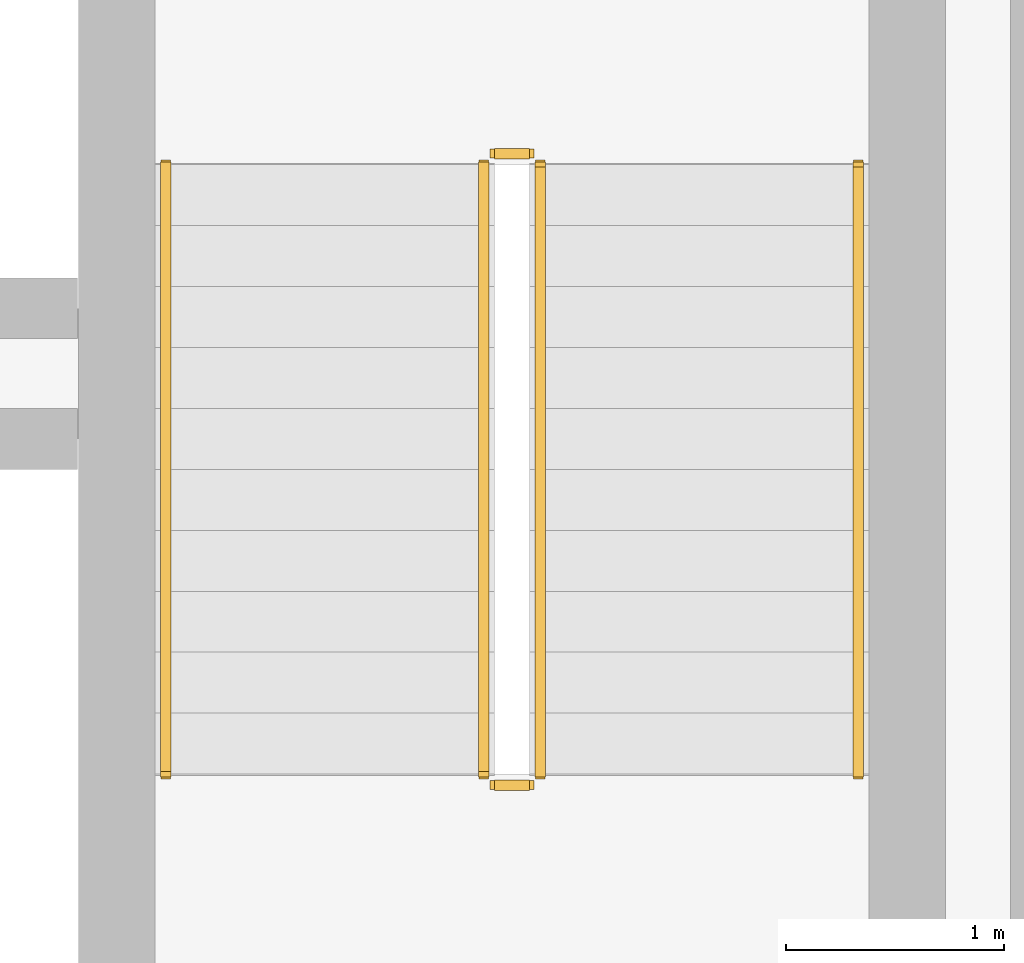
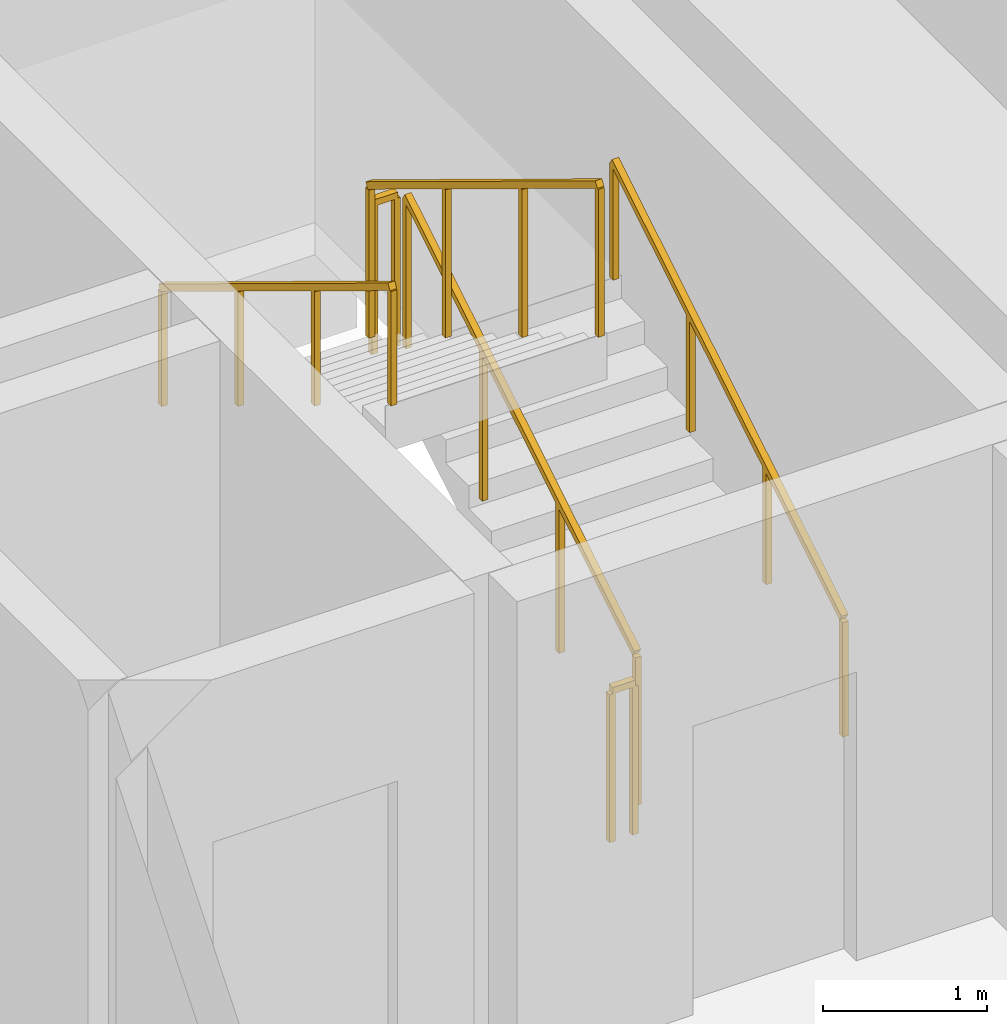
# One storey, part 16 of 16: 6 railings.
"""IFC4 building model written with IfcOpenShell, lengths in metres."""

import ifcopenshell
import ifcopenshell.guid

model = None  # the IFC model being written
_history = None  # IfcOwnerHistory: only IFC2X3 demands one
_inside = {}  # id of a spatial element -> (the spatial element, [elements in it])
_under = {}  # id of a project, library or spatial element -> (it, [spatial elements below it])
_declared = {}  # id of a project -> (the project, [libraries it declares])
_typed = {}  # id of a type object -> (the type object, [elements of that type])
_made_of = {}  # id of a material, layer set ... -> (it, [elements and type objects made of it])


def new_model(schema):
    """Start an empty IFC model of exactly this schema.

    Asked for "IFC4X3", IfcOpenShell would pick the latest addendum, in which some entities
    have other attributes; the version numbers below select the first issue.
    IFC2X3 requires an IfcOwnerHistory on every rooted entity: one is made here for all.
    """
    global model, _history
    if schema == "IFC4X3":
        model = ifcopenshell.file(schema_version=(4, 3, 0, 0))
    else:
        model = ifcopenshell.file(schema=schema)
    _inside.clear()
    _under.clear()
    _declared.clear()
    _typed.clear()
    _made_of.clear()
    _history = None
    if model.schema == "IFC2X3":
        org = make("IfcOrganization", Name="unknown")
        user = make(
            "IfcPersonAndOrganization",
            ThePerson=make("IfcPerson", FamilyName="unknown"),
            TheOrganization=org,
        )
        app = make(
            "IfcApplication",
            ApplicationDeveloper=org,
            Version="unknown",
            ApplicationFullName="unknown",
            ApplicationIdentifier="unknown",
        )
        _history = make(
            "IfcOwnerHistory",
            OwningUser=user,
            OwningApplication=app,
            ChangeAction="ADDED",
            CreationDate=0,
        )
    return model


def make(cls, **values):
    """One entity of the class cls with the attributes given. An attribute that is None is left unset."""
    return model.create_entity(
        cls, **{name: value for name, value in values.items() if value is not None}
    )


def rooted(cls, **values):
    """An entity with a GlobalId (a new one), such as an element, a storey or a relation."""
    return make(cls, GlobalId=ifcopenshell.guid.new(), OwnerHistory=_history, **values)


def si_unit(unit_type, name, prefix=None):
    """IfcSIUnit, for example si_unit("LENGTHUNIT", "METRE", prefix="MILLI")."""
    return make("IfcSIUnit", UnitType=unit_type, Prefix=prefix, Name=name)


def assignment(units):
    """IfcUnitAssignment: the units of a project."""
    return None if units is None else make("IfcUnitAssignment", Units=units)


def point(xyz):
    """IfcCartesianPoint."""
    return None if xyz is None else make("IfcCartesianPoint", Coordinates=xyz)


def direction(xyz):
    """IfcDirection."""
    return None if xyz is None else make("IfcDirection", DirectionRatios=xyz)


def frame(location, z_axis=None, x_axis=None):
    """IfcAxis2Placement3D, a coordinate frame: its origin and axes. An axis left out is left unset."""
    return make(
        "IfcAxis2Placement3D",
        Location=point(location),
        Axis=direction(z_axis),
        RefDirection=direction(x_axis),
    )


def frame_2d(location, x_axis=None):
    """IfcAxis2Placement2D, a coordinate frame in the plane: its origin and x axis."""
    return make(
        "IfcAxis2Placement2D", Location=point(location), RefDirection=direction(x_axis)
    )


def origin():
    """The frame at (0, 0, 0) with its axes left unset."""
    return frame((0.0, 0.0, 0.0))


def origin_2d():
    """The frame at (0, 0) in the plane with its x axis left unset."""
    return frame_2d((0.0, 0.0))


def place(relative_to, where):
    """IfcLocalPlacement: puts the frame where relative to a parent placement (None: the world)."""
    return make(
        "IfcLocalPlacement", PlacementRelTo=relative_to, RelativePlacement=where
    )


def context(
    kind, dimensions, precision=None, world=None, true_north=None, identifier=None
):
    """IfcGeometricRepresentationContext, for example the 3D "Model" context."""
    return make(
        "IfcGeometricRepresentationContext",
        ContextIdentifier=identifier,
        ContextType=kind,
        CoordinateSpaceDimension=dimensions,
        Precision=precision,
        WorldCoordinateSystem=world,
        TrueNorth=true_north,
    )


def subcontext(parent, identifier, kind, view, scale=None):
    """IfcGeometricRepresentationSubContext, for example "Body" below "Model"."""
    return make(
        "IfcGeometricRepresentationSubContext",
        ContextIdentifier=identifier,
        ContextType=kind,
        ParentContext=parent,
        TargetScale=scale,
        TargetView=view,
    )


def project(units=None, contexts=None):
    """IfcProject with its units and contexts."""
    return rooted(
        "IfcProject",
        Name="project",
        RepresentationContexts=contexts,
        UnitsInContext=assignment(units),
    )


def spatial(cls, under=None, at=None, **own):
    """A site, building, storey or space (cls), placed at a placement, below another one or the project."""
    s = rooted(cls, ObjectPlacement=at, **own)
    if under is not None:
        _under.setdefault(under.id(), (under, []))[1].append(s)
    return s


def profile(cls, at=None, kind="AREA", **sizes):
    """A parametric profile (cls). Its sizes go by their IFC names, for example OverallWidth=200.0."""
    return make(cls, ProfileType=kind, Position=at, **sizes)


def rectangle(**sizes):
    """IfcRectangleProfileDef."""
    return profile("IfcRectangleProfileDef", **sizes)


def extrude(swept, where, along, depth):
    """IfcExtrudedAreaSolid: the profile swept, set in the frame where, extruded along a direction by depth."""
    return make(
        "IfcExtrudedAreaSolid",
        SweptArea=swept,
        Position=where,
        ExtrudedDirection=direction(along),
        Depth=depth,
    )


def shape(context_of_items, identifier, shape_type, items):
    """IfcShapeRepresentation: the items that make up one representation, for example the "Body"."""
    return make(
        "IfcShapeRepresentation",
        ContextOfItems=context_of_items,
        RepresentationIdentifier=identifier,
        RepresentationType=shape_type,
        Items=items,
    )


def material(Name=None, Category=None):
    """IfcMaterial."""
    return make("IfcMaterial", Name=Name, Category=Category)


def made_of(thing, what):
    """Note that an element or type object is made of a material, layer set ...; save() writes the relation."""
    if what is not None:
        _made_of.setdefault(what.id(), (what, []))[1].append(thing)
    return thing


def type_object(cls, material=None, **own):
    """A type object (cls), such as IfcWallType, which elements share."""
    return made_of(rooted(cls, **own), material)


def element(
    cls,
    number,
    at=None,
    inside=None,
    cuts=None,
    type_object=None,
    material=None,
    context=None,
    identifier="Body",
    shape_type=None,
    held_by="IfcProductDefinitionShape",
    body=None,
    shapes=None,
    **own,
):
    """One element of the class cls, such as IfcWall. Its Tag is "e" and its number.

    at: its placement. inside: the storey or other place that contains it. cuts: it is an
    opening in that element (IfcRelVoidsElement). A single representation is given by context,
    identifier, shape_type and body (its items); several are given by shapes. held_by: the class
    of the entity that holds the representations. save() writes the other relations.
    """
    e = rooted(cls, Tag="e%d" % number, ObjectPlacement=at, **own)
    if body is not None:
        shapes = [shape(context, identifier, shape_type, body)]
    if shapes is not None:
        e.Representation = make(held_by, Representations=shapes)
    if inside is not None:
        _inside.setdefault(inside.id(), (inside, []))[1].append(e)
    if cuts is not None:
        rooted(
            "IfcRelVoidsElement", RelatingBuildingElement=cuts, RelatedOpeningElement=e
        )
    if type_object is not None:
        _typed.setdefault(type_object.id(), (type_object, []))[1].append(e)
    return made_of(e, material)


def aggregate(whole, parts):
    """IfcRelAggregates: a whole, such as a stair, and the parts it consists of."""
    return rooted("IfcRelAggregates", RelatingObject=whole, RelatedObjects=parts)


def save(model, path):
    """Write the relations noted so far, then the file.

    IfcRelAggregates (storeys below a building ...), IfcRelContainedInSpatialStructure (elements
    in a storey), IfcRelDefinesByType, IfcRelAssociatesMaterial and IfcRelDeclares: one each for
    every whole, place, type object, material and project.
    """
    for whole, parts in _under.values():
        aggregate(whole, parts)
    for where, things in _inside.values():
        rooted(
            "IfcRelContainedInSpatialStructure",
            RelatedElements=things,
            RelatingStructure=where,
        )
    for kind, things in _typed.values():
        rooted("IfcRelDefinesByType", RelatedObjects=things, RelatingType=kind)
    for what, things in _made_of.values():
        rooted("IfcRelAssociatesMaterial", RelatedObjects=things, RelatingMaterial=what)
    for by, libraries in _declared.values():
        rooted("IfcRelDeclares", RelatingContext=by, RelatedDefinitions=libraries)
    model.write(path)


model = new_model("IFC4")

# Units and contexts
model_context = context("Model", 3, precision=1e-05, world=origin(), true_north=direction((0.0, 1.0)))
body_context = subcontext(model_context, "Body", "Model", "MODEL_VIEW")
ifc_project = project(units=[si_unit("LENGTHUNIT", "METRE"), si_unit("AREAUNIT", "SQUARE_METRE"), si_unit("VOLUMEUNIT", "CUBIC_METRE"), si_unit("PLANEANGLEUNIT", "RADIAN"), si_unit("MASSUNIT", "GRAM", prefix="KILO")], contexts=[model_context])

# Site, building, storey
site_placement = place(None, origin())
site = spatial("IfcSite", under=ifc_project, at=site_placement, CompositionType="ELEMENT")
building_placement = place(site_placement, origin())
building = spatial("IfcBuilding", under=site, at=building_placement, Name="Kaelvorn Grand Hotel", CompositionType="ELEMENT")
storey_placement = place(building_placement, frame((0.0, 0.0, 35.14990234375)))
storey = spatial("IfcBuildingStorey", under=building, at=storey_placement, Name="L06", CompositionType="ELEMENT", Elevation=35.14990234375)

# Railings
ifc_material = material(Name="Stainless Steel", Category="steel")
railing_type_1 = type_object("IfcRailingType", Name="RL-HANDRAIL-900", PredefinedType="HANDRAIL", material=ifc_material)
railing_1_placement = place(storey_placement, frame((66.550048828125, 41.760009765625, 0.170654296875)))
element("IfcRailing", 1, at=railing_1_placement, inside=storey, type_object=railing_type_1, Name="L06 ST3 stair handrail 1", PredefinedType="HANDRAIL", context=body_context, shape_type="SweptSolid", body=[
    extrude(rectangle(XDim=0.048095703125, YDim=0.048095703125, at=origin_2d()), frame((0.0, 0.0, 0.8759765625), z_axis=(0.0, 0.854202870247, 0.519939858505), x_axis=(-1.0, 0.0, 0.0)), (0.0, 0.0, 1.0), 3.278076171875),
    extrude(rectangle(XDim=0.0419921875, YDim=0.0419921875, at=origin_2d()), origin(), (0.0, 0.0, 1.0), 0.851806640625),
    extrude(rectangle(XDim=0.0419921875, YDim=0.0419921875, at=origin_2d()), frame((0.0, 0.933349609375, 0.568115234375)), (0.0, 0.0, 1.0), 0.851806640625),
    extrude(rectangle(XDim=0.0419921875, YDim=0.0419921875, at=origin_2d()), frame((0.0, 1.86669921875, 1.13623046875)), (0.0, 0.0, 1.0), 0.851806640625),
    extrude(rectangle(XDim=0.0419921875, YDim=0.0419921875, at=origin_2d()), frame((0.0, 2.800048828125, 1.704345703125)), (0.0, 0.0, 1.0), 0.851806640625),
])
railing_2_placement = place(storey_placement, frame((63.3701171875, 44.56005859375, 2.045654296875)))
element("IfcRailing", 2, at=railing_2_placement, inside=storey, type_object=railing_type_1, Name="L06 ST3 stair handrail 2", PredefinedType="HANDRAIL", context=body_context, shape_type="SweptSolid", body=[
    extrude(rectangle(XDim=0.048095703125, YDim=0.048095703125, at=origin_2d()), frame((0.0, 0.0, 0.8759765625), z_axis=(0.0, -0.854202870247, 0.519939858505), x_axis=(1.0, 0.0, 0.0)), (0.0, 0.0, 1.0), 3.278076171875),
    extrude(rectangle(XDim=0.0419921875, YDim=0.0419921875, at=origin_2d()), origin(), (0.0, 0.0, 1.0), 0.851806640625),
    extrude(rectangle(XDim=0.0419921875, YDim=0.0419921875, at=origin_2d()), frame((0.0, -0.933349609375, 0.568115234375)), (0.0, 0.0, 1.0), 0.851806640625),
    extrude(rectangle(XDim=0.0419921875, YDim=0.0419921875, at=origin_2d()), frame((0.0, -1.86669921875, 1.13623046875)), (0.0, 0.0, 1.0), 0.851806640625),
    extrude(rectangle(XDim=0.0419921875, YDim=0.0419921875, at=origin_2d()), frame((0.0, -2.800048828125, 1.704345703125)), (0.0, 0.0, 1.0), 0.851806640625),
])
railing_type_2 = type_object("IfcRailingType", Name="RL-STAIR-GUARD-1150", PredefinedType="BALUSTRADE", material=ifc_material)
railing_3_placement = place(storey_placement, frame((65.090087890625, 41.760009765625, 0.170654296875)))
element("IfcRailing", 3, at=railing_3_placement, inside=storey, type_object=railing_type_2, Name="L06 ST3 stair guard 1", PredefinedType="BALUSTRADE", context=body_context, shape_type="SweptSolid", body=[
    extrude(rectangle(XDim=0.048095703125, YDim=0.048095703125, at=origin_2d()), frame((0.0, 0.0, 1.1259765625), z_axis=(0.0, 0.854202870247, 0.519939858505), x_axis=(-1.0, 0.0, 0.0)), (0.0, 0.0, 1.0), 3.278076171875),
    extrude(rectangle(XDim=0.0419921875, YDim=0.0419921875, at=origin_2d()), origin(), (0.0, 0.0, 1.0), 1.101806640625),
    extrude(rectangle(XDim=0.0419921875, YDim=0.0419921875, at=origin_2d()), frame((0.0, 0.933349609375, 0.568115234375)), (0.0, 0.0, 1.0), 1.101806640625),
    extrude(rectangle(XDim=0.0419921875, YDim=0.0419921875, at=origin_2d()), frame((0.0, 1.86669921875, 1.13623046875)), (0.0, 0.0, 1.0), 1.101806640625),
    extrude(rectangle(XDim=0.0419921875, YDim=0.0419921875, at=origin_2d()), frame((0.0, 2.800048828125, 1.704345703125)), (0.0, 0.0, 1.0), 1.101806640625),
])
railing_4_placement = place(storey_placement, frame((65.0400390625, 44.610107421875, 1.875)))
element("IfcRailing", 4, at=railing_4_placement, inside=storey, type_object=railing_type_2, Name="L06 ST3 stair guard 2", PredefinedType="BALUSTRADE", context=body_context, shape_type="SweptSolid", body=[
    extrude(rectangle(XDim=0.048095703125, YDim=0.048095703125, at=origin_2d()), frame((0.0, 0.0, 1.1259765625), z_axis=(-1.0, 0.0, 0.0), x_axis=(0.0, -1.0, 0.0)), (0.0, 0.0, 1.0), 0.16015625),
    extrude(rectangle(XDim=0.0419921875, YDim=0.0419921875, at=origin_2d()), origin(), (0.0, 0.0, 1.0), 1.101806640625),
    extrude(rectangle(XDim=0.0419921875, YDim=0.0419921875, at=origin_2d()), frame((-0.16015625, 0.0, 0.0)), (0.0, 0.0, 1.0), 1.101806640625),
])
railing_5_placement = place(storey_placement, frame((64.830078125, 44.56005859375, 2.045654296875)))
element("IfcRailing", 5, at=railing_5_placement, inside=storey, type_object=railing_type_2, Name="L06 ST3 stair guard 3", PredefinedType="BALUSTRADE", context=body_context, shape_type="SweptSolid", body=[
    extrude(rectangle(XDim=0.048095703125, YDim=0.048095703125, at=origin_2d()), frame((0.0, 0.0, 1.1259765625), z_axis=(0.0, -0.854202870247, 0.519939858505), x_axis=(1.0, 0.0, 0.0)), (0.0, 0.0, 1.0), 3.278076171875),
    extrude(rectangle(XDim=0.0419921875, YDim=0.0419921875, at=origin_2d()), origin(), (0.0, 0.0, 1.0), 1.101806640625),
    extrude(rectangle(XDim=0.0419921875, YDim=0.0419921875, at=origin_2d()), frame((0.0, -0.933349609375, 0.568115234375)), (0.0, 0.0, 1.0), 1.101806640625),
    extrude(rectangle(XDim=0.0419921875, YDim=0.0419921875, at=origin_2d()), frame((0.0, -1.86669921875, 1.13623046875)), (0.0, 0.0, 1.0), 1.101806640625),
    extrude(rectangle(XDim=0.0419921875, YDim=0.0419921875, at=origin_2d()), frame((0.0, -2.800048828125, 1.704345703125)), (0.0, 0.0, 1.0), 1.101806640625),
])
railing_6_placement = place(storey_placement, frame((65.0400390625, 41.7099609375, 0.0)))
element("IfcRailing", 6, at=railing_6_placement, inside=storey, type_object=railing_type_2, Name="L06 ST3 stair guard 4", PredefinedType="BALUSTRADE", context=body_context, shape_type="SweptSolid", body=[
    extrude(rectangle(XDim=0.048095703125, YDim=0.048095703125, at=origin_2d()), frame((0.0, 0.0, 1.1259765625), z_axis=(-1.0, 0.0, 0.0), x_axis=(0.0, -1.0, 0.0)), (0.0, 0.0, 1.0), 0.16015625),
    extrude(rectangle(XDim=0.0419921875, YDim=0.0419921875, at=origin_2d()), origin(), (0.0, 0.0, 1.0), 1.101806640625),
    extrude(rectangle(XDim=0.0419921875, YDim=0.0419921875, at=origin_2d()), frame((-0.16015625, 0.0, 0.0)), (0.0, 0.0, 1.0), 1.101806640625),
])

save(model, "model.ifc")
